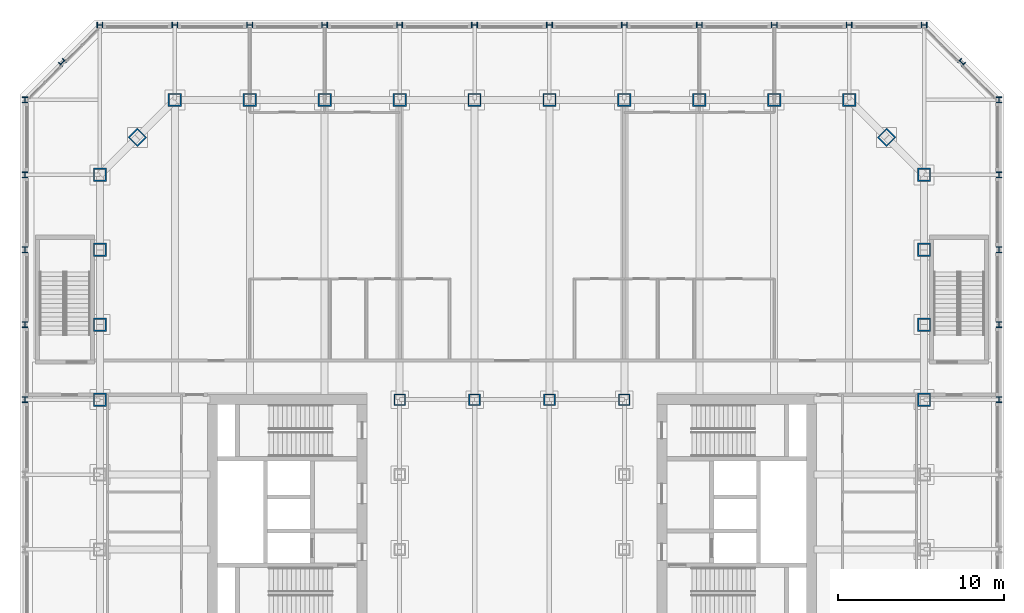
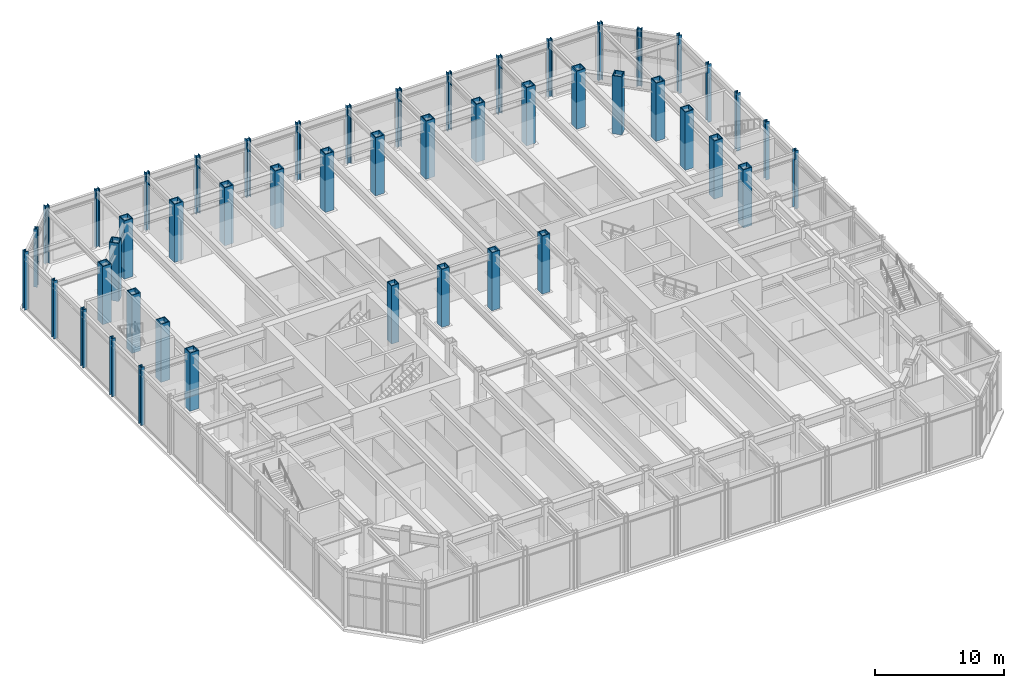
# One storey, part 3 of 19: 48 columns.
"""IFC4 building model written with IfcOpenShell, lengths in metres."""

import ifcopenshell
import ifcopenshell.guid

model = None  # the IFC model being written
_history = None  # IfcOwnerHistory: only IFC2X3 demands one
_inside = {}  # id of a spatial element -> (the spatial element, [elements in it])
_under = {}  # id of a project, library or spatial element -> (it, [spatial elements below it])
_declared = {}  # id of a project -> (the project, [libraries it declares])
_typed = {}  # id of a type object -> (the type object, [elements of that type])
_made_of = {}  # id of a material, layer set ... -> (it, [elements and type objects made of it])


def new_model(schema):
    """Start an empty IFC model of exactly this schema.

    Asked for "IFC4X3", IfcOpenShell would pick the latest addendum, in which some entities
    have other attributes; the version numbers below select the first issue.
    IFC2X3 requires an IfcOwnerHistory on every rooted entity: one is made here for all.
    """
    global model, _history
    if schema == "IFC4X3":
        model = ifcopenshell.file(schema_version=(4, 3, 0, 0))
    else:
        model = ifcopenshell.file(schema=schema)
    _inside.clear()
    _under.clear()
    _declared.clear()
    _typed.clear()
    _made_of.clear()
    _history = None
    if model.schema == "IFC2X3":
        org = make("IfcOrganization", Name="unknown")
        user = make(
            "IfcPersonAndOrganization",
            ThePerson=make("IfcPerson", FamilyName="unknown"),
            TheOrganization=org,
        )
        app = make(
            "IfcApplication",
            ApplicationDeveloper=org,
            Version="unknown",
            ApplicationFullName="unknown",
            ApplicationIdentifier="unknown",
        )
        _history = make(
            "IfcOwnerHistory",
            OwningUser=user,
            OwningApplication=app,
            ChangeAction="ADDED",
            CreationDate=0,
        )
    return model


def make(cls, **values):
    """One entity of the class cls with the attributes given. An attribute that is None is left unset."""
    return model.create_entity(
        cls, **{name: value for name, value in values.items() if value is not None}
    )


def rooted(cls, **values):
    """An entity with a GlobalId (a new one), such as an element, a storey or a relation."""
    return make(cls, GlobalId=ifcopenshell.guid.new(), OwnerHistory=_history, **values)


def si_unit(unit_type, name, prefix=None):
    """IfcSIUnit, for example si_unit("LENGTHUNIT", "METRE", prefix="MILLI")."""
    return make("IfcSIUnit", UnitType=unit_type, Prefix=prefix, Name=name)


def assignment(units):
    """IfcUnitAssignment: the units of a project."""
    return None if units is None else make("IfcUnitAssignment", Units=units)


def point(xyz):
    """IfcCartesianPoint."""
    return None if xyz is None else make("IfcCartesianPoint", Coordinates=xyz)


def direction(xyz):
    """IfcDirection."""
    return None if xyz is None else make("IfcDirection", DirectionRatios=xyz)


def frame(location, z_axis=None, x_axis=None):
    """IfcAxis2Placement3D, a coordinate frame: its origin and axes. An axis left out is left unset."""
    return make(
        "IfcAxis2Placement3D",
        Location=point(location),
        Axis=direction(z_axis),
        RefDirection=direction(x_axis),
    )


def frame_2d(location, x_axis=None):
    """IfcAxis2Placement2D, a coordinate frame in the plane: its origin and x axis."""
    return make(
        "IfcAxis2Placement2D", Location=point(location), RefDirection=direction(x_axis)
    )


def origin():
    """The frame at (0, 0, 0) with its axes left unset."""
    return frame((0.0, 0.0, 0.0))


def origin_2d():
    """The frame at (0, 0) in the plane with its x axis left unset."""
    return frame_2d((0.0, 0.0))


def place(relative_to, where):
    """IfcLocalPlacement: puts the frame where relative to a parent placement (None: the world)."""
    return make(
        "IfcLocalPlacement", PlacementRelTo=relative_to, RelativePlacement=where
    )


def context(
    kind, dimensions, precision=None, world=None, true_north=None, identifier=None
):
    """IfcGeometricRepresentationContext, for example the 3D "Model" context."""
    return make(
        "IfcGeometricRepresentationContext",
        ContextIdentifier=identifier,
        ContextType=kind,
        CoordinateSpaceDimension=dimensions,
        Precision=precision,
        WorldCoordinateSystem=world,
        TrueNorth=true_north,
    )


def subcontext(parent, identifier, kind, view, scale=None):
    """IfcGeometricRepresentationSubContext, for example "Body" below "Model"."""
    return make(
        "IfcGeometricRepresentationSubContext",
        ContextIdentifier=identifier,
        ContextType=kind,
        ParentContext=parent,
        TargetScale=scale,
        TargetView=view,
    )


def project(units=None, contexts=None):
    """IfcProject with its units and contexts."""
    return rooted(
        "IfcProject",
        Name="project",
        RepresentationContexts=contexts,
        UnitsInContext=assignment(units),
    )


def spatial(cls, under=None, at=None, **own):
    """A site, building, storey or space (cls), placed at a placement, below another one or the project."""
    s = rooted(cls, ObjectPlacement=at, **own)
    if under is not None:
        _under.setdefault(under.id(), (under, []))[1].append(s)
    return s


def profile(cls, at=None, kind="AREA", **sizes):
    """A parametric profile (cls). Its sizes go by their IFC names, for example OverallWidth=200.0."""
    return make(cls, ProfileType=kind, Position=at, **sizes)


def hollow_rectangle(**sizes):
    """IfcRectangleHollowProfileDef."""
    return profile("IfcRectangleHollowProfileDef", **sizes)


def i_section(**sizes):
    """IfcIShapeProfileDef."""
    return profile("IfcIShapeProfileDef", **sizes)


def extrude(swept, where, along, depth):
    """IfcExtrudedAreaSolid: the profile swept, set in the frame where, extruded along a direction by depth."""
    return make(
        "IfcExtrudedAreaSolid",
        SweptArea=swept,
        Position=where,
        ExtrudedDirection=direction(along),
        Depth=depth,
    )


def shape(context_of_items, identifier, shape_type, items):
    """IfcShapeRepresentation: the items that make up one representation, for example the "Body"."""
    return make(
        "IfcShapeRepresentation",
        ContextOfItems=context_of_items,
        RepresentationIdentifier=identifier,
        RepresentationType=shape_type,
        Items=items,
    )


def material(Name=None, Category=None):
    """IfcMaterial."""
    return make("IfcMaterial", Name=Name, Category=Category)


def material_profile(
    of_material, cross_section, Name=None, Category=None, Priority=None
):
    """IfcMaterialProfile: a cross section and its material."""
    return make(
        "IfcMaterialProfile",
        Name=Name,
        Material=of_material,
        Profile=cross_section,
        Priority=Priority,
        Category=Category,
    )


def profile_set(profiles, Name=None, composite=None):
    """IfcMaterialProfileSet."""
    return make(
        "IfcMaterialProfileSet",
        Name=Name,
        MaterialProfiles=profiles,
        CompositeProfile=composite,
    )


def made_of(thing, what):
    """Note that an element or type object is made of a material, layer set ...; save() writes the relation."""
    if what is not None:
        _made_of.setdefault(what.id(), (what, []))[1].append(thing)
    return thing


def type_object(cls, material=None, **own):
    """A type object (cls), such as IfcWallType, which elements share."""
    return made_of(rooted(cls, **own), material)


def element(
    cls,
    number,
    at=None,
    inside=None,
    cuts=None,
    type_object=None,
    material=None,
    context=None,
    identifier="Body",
    shape_type=None,
    held_by="IfcProductDefinitionShape",
    body=None,
    shapes=None,
    **own,
):
    """One element of the class cls, such as IfcWall. Its Tag is "e" and its number.

    at: its placement. inside: the storey or other place that contains it. cuts: it is an
    opening in that element (IfcRelVoidsElement). A single representation is given by context,
    identifier, shape_type and body (its items); several are given by shapes. held_by: the class
    of the entity that holds the representations. save() writes the other relations.
    """
    e = rooted(cls, Tag="e%d" % number, ObjectPlacement=at, **own)
    if body is not None:
        shapes = [shape(context, identifier, shape_type, body)]
    if shapes is not None:
        e.Representation = make(held_by, Representations=shapes)
    if inside is not None:
        _inside.setdefault(inside.id(), (inside, []))[1].append(e)
    if cuts is not None:
        rooted(
            "IfcRelVoidsElement", RelatingBuildingElement=cuts, RelatedOpeningElement=e
        )
    if type_object is not None:
        _typed.setdefault(type_object.id(), (type_object, []))[1].append(e)
    return made_of(e, material)


def aggregate(whole, parts):
    """IfcRelAggregates: a whole, such as a stair, and the parts it consists of."""
    return rooted("IfcRelAggregates", RelatingObject=whole, RelatedObjects=parts)


def save(model, path):
    """Write the relations noted so far, then the file.

    IfcRelAggregates (storeys below a building ...), IfcRelContainedInSpatialStructure (elements
    in a storey), IfcRelDefinesByType, IfcRelAssociatesMaterial and IfcRelDeclares: one each for
    every whole, place, type object, material and project.
    """
    for whole, parts in _under.values():
        aggregate(whole, parts)
    for where, things in _inside.values():
        rooted(
            "IfcRelContainedInSpatialStructure",
            RelatedElements=things,
            RelatingStructure=where,
        )
    for kind, things in _typed.values():
        rooted("IfcRelDefinesByType", RelatedObjects=things, RelatingType=kind)
    for what, things in _made_of.values():
        rooted("IfcRelAssociatesMaterial", RelatedObjects=things, RelatingMaterial=what)
    for by, libraries in _declared.values():
        rooted("IfcRelDeclares", RelatingContext=by, RelatedDefinitions=libraries)
    model.write(path)


model = new_model("IFC4")

# Units and contexts
model_context = context("Model", 3, precision=1e-05, world=origin(), true_north=direction((0.0, 1.0)))
body_context = subcontext(model_context, "Body", "Model", "MODEL_VIEW")
ifc_project = project(units=[si_unit("LENGTHUNIT", "METRE"), si_unit("AREAUNIT", "SQUARE_METRE"), si_unit("VOLUMEUNIT", "CUBIC_METRE"), si_unit("PLANEANGLEUNIT", "RADIAN"), si_unit("MASSUNIT", "GRAM", prefix="KILO")], contexts=[model_context])

# Site, building, storey
site_placement = place(None, origin())
site = spatial("IfcSite", under=ifc_project, at=site_placement, CompositionType="ELEMENT")
building_placement = place(site_placement, origin())
building = spatial("IfcBuilding", under=site, at=building_placement, Name="Msasa Ring Tower", CompositionType="ELEMENT")
storey_placement = place(building_placement, frame((0.0, 0.0, 16.0)))
storey = spatial("IfcBuildingStorey", under=building, at=storey_placement, Name="L03", CompositionType="ELEMENT", Elevation=16.0)

# Columns
ifc_material_1 = material(Name="Steel S355", Category="steel")
ifc_material_profile_1 = material_profile(ifc_material_1, hollow_rectangle(XDim=0.699951171875, YDim=0.699951171875, WallThickness=0.070068359375, at=origin_2d()), Name="BOX 700x700x70")
ifc_profile_set_1 = profile_set([ifc_material_profile_1], Name="Steel S355")
column_type_1 = type_object("IfcColumnType", Name="IC1 BOX 700x700x70", PredefinedType="COLUMN", material=ifc_profile_set_1)
for number, where, z_axis, x_axis, name in (
    (1, (-6.75, 6.75, 0.0), (0.0, 0.0, 1.0), (1.0, 0.0, 0.0), "Inner ring column IR-6.75+6.75 L03"),
    (2, (-2.25, 6.75, 0.0), (0.0, 0.0, 1.0), (1.0, 0.0, 0.0), "Inner ring column IR-2.25+6.75 L03"),
    (3, (2.25, 6.75, 0.0), (0.0, 0.0, 1.0), (1.0, 0.0, 0.0), "Inner ring column IR+2.25+6.75 L03"),
    (4, (6.75, 6.75, 0.0), (0.0, 0.0, 1.0), (1.0, 0.0, 0.0), "Inner ring column IR+6.75+6.75 L03"),
):
    element("IfcColumn", number, at=place(storey_placement, frame(where, z_axis=z_axis, x_axis=x_axis)), inside=storey, type_object=column_type_1, Name=name, PredefinedType="COLUMN", context=body_context, shape_type="SweptSolid", body=[
        extrude(hollow_rectangle(XDim=0.699951171875, YDim=0.699951171875, WallThickness=0.070068359375, at=origin_2d()), origin(), (0.0, 0.0, 1.0), 5.5),
    ])
ifc_material_2 = material(Name="Steel S355", Category="steel")
ifc_material_profile_2 = material_profile(ifc_material_2, i_section(OverallWidth=0.322265625, OverallDepth=0.365234375, WebThickness=0.02685546875, FlangeThickness=0.044189453125, FilletRadius=0.01513671875, at=origin_2d()), Name="UC 305x305x283")
ifc_profile_set_2 = profile_set([ifc_material_profile_2], Name="Steel S355")
column_type_2 = type_object("IfcColumnType", Name="PC1 UC 305x305x283", PredefinedType="COLUMN", material=ifc_profile_set_2)
for number, where, z_axis, x_axis, name in (
    (5, (-24.75, 29.25, 0.0), (0.0, 0.0, 1.0), (0.0, 1.0, 0.0), "Podium column N-24.75 L03"),
    (6, (-20.25, 29.25, 0.0), (0.0, 0.0, 1.0), (0.0, 1.0, 0.0), "Podium column N-20.25 L03"),
    (7, (-15.75, 29.25, 0.0), (0.0, 0.0, 1.0), (0.0, 1.0, 0.0), "Podium column N-15.75 L03"),
    (8, (-11.25, 29.25, 0.0), (0.0, 0.0, 1.0), (0.0, 1.0, 0.0), "Podium column N-11.25 L03"),
    (9, (-6.75, 29.25, 0.0), (0.0, 0.0, 1.0), (0.0, 1.0, 0.0), "Podium column N-6.75 L03"),
    (10, (-2.25, 29.25, 0.0), (0.0, 0.0, 1.0), (0.0, 1.0, 0.0), "Podium column N-2.25 L03"),
    (11, (2.25, 29.25, 0.0), (0.0, 0.0, 1.0), (0.0, 1.0, 0.0), "Podium column N+2.25 L03"),
    (12, (6.75, 29.25, 0.0), (0.0, 0.0, 1.0), (0.0, 1.0, 0.0), "Podium column N+6.75 L03"),
    (13, (29.25, 6.75, 0.0), (0.0, 0.0, 1.0), (1.0, 0.0, 0.0), "Podium column E+6.75 L03"),
    (14, (-29.25, 6.75, 0.0), (0.0, 0.0, 1.0), (1.0, 0.0, 0.0), "Podium column W+6.75 L03"),
    (15, (11.25, 29.25, 0.0), (0.0, 0.0, 1.0), (0.0, 1.0, 0.0), "Podium column N+11.25 L03"),
    (16, (29.25, 11.25, 0.0), (0.0, 0.0, 1.0), (1.0, 0.0, 0.0), "Podium column E+11.25 L03"),
    (17, (-29.25, 11.25, 0.0), (0.0, 0.0, 1.0), (1.0, 0.0, 0.0), "Podium column W+11.25 L03"),
    (18, (15.75, 29.25, 0.0), (0.0, 0.0, 1.0), (0.0, 1.0, 0.0), "Podium column N+15.75 L03"),
    (19, (29.25, 15.75, 0.0), (0.0, 0.0, 1.0), (1.0, 0.0, 0.0), "Podium column E+15.75 L03"),
    (20, (-29.25, 15.75, 0.0), (0.0, 0.0, 1.0), (1.0, 0.0, 0.0), "Podium column W+15.75 L03"),
    (21, (20.25, 29.25, 0.0), (0.0, 0.0, 1.0), (0.0, 1.0, 0.0), "Podium column N+20.25 L03"),
    (22, (29.25, 20.25, 0.0), (0.0, 0.0, 1.0), (1.0, 0.0, 0.0), "Podium column E+20.25 L03"),
    (23, (-29.25, 20.25, 0.0), (0.0, 0.0, 1.0), (1.0, 0.0, 0.0), "Podium column W+20.25 L03"),
    (24, (24.75, 29.25, 0.0), (0.0, 0.0, 1.0), (0.0, 1.0, 0.0), "Podium column N+24.75 L03"),
    (25, (29.25, 24.75, 0.0), (0.0, 0.0, 1.0), (1.0, 0.0, 0.0), "Podium column E+24.75 L03"),
    (26, (-29.25, 24.75, 0.0), (0.0, 0.0, 1.0), (1.0, 0.0, 0.0), "Podium column W+24.75 L03"),
    (27, (27.0, 27.0, 0.0), (0.0, 0.0, 1.0), (0.707106781187, 0.707106781187, 0.0), "Podium column NE L03"),
    (28, (-27.0, 27.0, 0.0), (0.0, 0.0, 1.0), (0.707106781187, -0.707106781187, 0.0), "Podium column NW L03"),
):
    element("IfcColumn", number, at=place(storey_placement, frame(where, z_axis=z_axis, x_axis=x_axis)), inside=storey, type_object=column_type_2, Name=name, PredefinedType="COLUMN", context=body_context, shape_type="SweptSolid", body=[
        extrude(i_section(OverallWidth=0.322265625, OverallDepth=0.365234375, WebThickness=0.02685546875, FlangeThickness=0.044189453125, FilletRadius=0.01513671875, at=origin_2d()), origin(), (0.0, 0.0, 1.0), 5.5),
    ])
ifc_material_3 = material(Name="Steel S355", Category="steel")
ifc_material_profile_3 = material_profile(ifc_material_3, hollow_rectangle(XDim=0.800048828125, YDim=0.800048828125, WallThickness=0.080078125, at=origin_2d()), Name="BOX 800x800x80")
ifc_profile_set_3 = profile_set([ifc_material_profile_3], Name="Steel S355")
column_type_3 = type_object("IfcColumnType", Name="TC1 BOX 800x800x80", PredefinedType="COLUMN", material=ifc_profile_set_3)
for number, where, z_axis, x_axis, name in (
    (29, (-20.25, 24.75, 0.0), (0.0, 0.0, 1.0), (0.0, 1.0, 0.0), "Tube column N-20.25 L03"),
    (30, (-15.75, 24.75, 0.0), (0.0, 0.0, 1.0), (0.0, 1.0, 0.0), "Tube column N-15.75 L03"),
    (31, (-11.25, 24.75, 0.0), (0.0, 0.0, 1.0), (0.0, 1.0, 0.0), "Tube column N-11.25 L03"),
    (32, (-6.75, 24.75, 0.0), (0.0, 0.0, 1.0), (0.0, 1.0, 0.0), "Tube column N-6.75 L03"),
    (33, (-2.25, 24.75, 0.0), (0.0, 0.0, 1.0), (0.0, 1.0, 0.0), "Tube column N-2.25 L03"),
    (34, (2.25, 24.75, 0.0), (0.0, 0.0, 1.0), (0.0, 1.0, 0.0), "Tube column N+2.25 L03"),
    (35, (6.75, 24.75, 0.0), (0.0, 0.0, 1.0), (0.0, 1.0, 0.0), "Tube column N+6.75 L03"),
    (36, (24.75, 6.75, 0.0), (0.0, 0.0, 1.0), (1.0, 0.0, 0.0), "Tube column E+6.75 L03"),
    (37, (-24.75, 6.75, 0.0), (0.0, 0.0, 1.0), (1.0, 0.0, 0.0), "Tube column W+6.75 L03"),
    (38, (11.25, 24.75, 0.0), (0.0, 0.0, 1.0), (0.0, 1.0, 0.0), "Tube column N+11.25 L03"),
    (39, (24.75, 11.25, 0.0), (0.0, 0.0, 1.0), (1.0, 0.0, 0.0), "Tube column E+11.25 L03"),
    (40, (-24.75, 11.25, 0.0), (0.0, 0.0, 1.0), (1.0, 0.0, 0.0), "Tube column W+11.25 L03"),
    (41, (15.75, 24.75, 0.0), (0.0, 0.0, 1.0), (0.0, 1.0, 0.0), "Tube column N+15.75 L03"),
    (42, (24.75, 15.75, 0.0), (0.0, 0.0, 1.0), (1.0, 0.0, 0.0), "Tube column E+15.75 L03"),
    (43, (-24.75, 15.75, 0.0), (0.0, 0.0, 1.0), (1.0, 0.0, 0.0), "Tube column W+15.75 L03"),
    (44, (20.25, 24.75, 0.0), (0.0, 0.0, 1.0), (0.0, 1.0, 0.0), "Tube column N+20.25 L03"),
    (45, (24.75, 20.25, 0.0), (0.0, 0.0, 1.0), (1.0, 0.0, 0.0), "Tube column E+20.25 L03"),
    (46, (-24.75, 20.25, 0.0), (0.0, 0.0, 1.0), (1.0, 0.0, 0.0), "Tube column W+20.25 L03"),
    (47, (22.5, 22.5, 0.0), (0.0, 0.0, 1.0), (0.707106781187, 0.707106781187, 0.0), "Tube column NE L03"),
    (48, (-22.5, 22.5, 0.0), (0.0, 0.0, 1.0), (0.707106781187, -0.707106781187, 0.0), "Tube column NW L03"),
):
    element("IfcColumn", number, at=place(storey_placement, frame(where, z_axis=z_axis, x_axis=x_axis)), inside=storey, type_object=column_type_3, Name=name, PredefinedType="COLUMN", context=body_context, shape_type="SweptSolid", body=[
        extrude(hollow_rectangle(XDim=0.800048828125, YDim=0.800048828125, WallThickness=0.080078125, at=origin_2d()), origin(), (0.0, 0.0, 1.0), 5.5),
    ])

save(model, "model.ifc")
